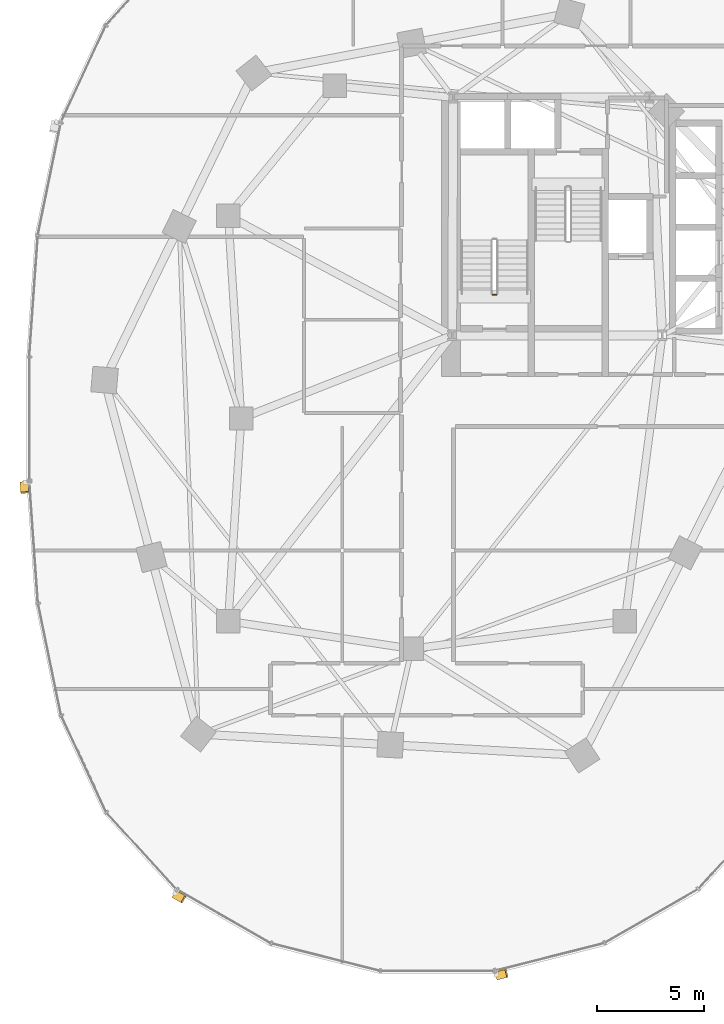
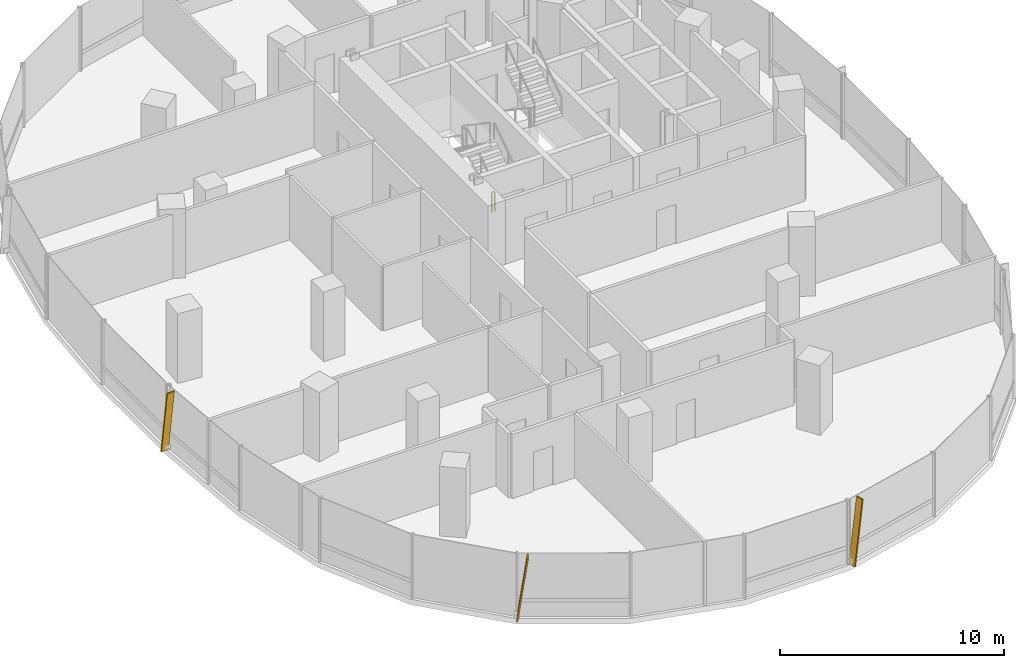
# One storey, part 18 of 22: 3 shading devices, 1 railing.
"""IFC4 building model written with IfcOpenShell, lengths in metres."""

from ifc_helpers import new_model, si_unit, direction, frame, origin, origin_2d, place, context, subcontext, project, spatial, rectangle, extrude, material, material_profile, profile_set, type_object, element, save


model = new_model("IFC4")

# Units and contexts
model_context = context("Model", 3, precision=1e-05, world=origin(), true_north=direction((0.0, 1.0)))
body_context = subcontext(model_context, "Body", "Model", "MODEL_VIEW")
ifc_project = project(units=[si_unit("LENGTHUNIT", "METRE"), si_unit("AREAUNIT", "SQUARE_METRE"), si_unit("VOLUMEUNIT", "CUBIC_METRE"), si_unit("PLANEANGLEUNIT", "RADIAN"), si_unit("MASSUNIT", "GRAM", prefix="KILO"), si_unit("THERMODYNAMICTEMPERATUREUNIT", "KELVIN"), si_unit("POWERUNIT", "WATT")], contexts=[model_context])

# Site, building, storey
site_placement = place(None, origin())
site = spatial("IfcSite", under=ifc_project, at=site_placement, CompositionType="ELEMENT")
building_placement = place(site_placement, origin())
building = spatial("IfcBuilding", under=site, at=building_placement, Name="Cundina Bronze Exchange", CompositionType="ELEMENT")
storey_placement = place(building_placement, frame((0.0, 0.0, 39.199951171875)))
storey = spatial("IfcBuildingStorey", under=building, at=storey_placement, Name="L09", CompositionType="ELEMENT", Elevation=39.199951171875)

# Railing
ifc_material_1 = material(Name="Steel ASTM A36 Painted", Category="steel")
railing_type = type_object("IfcRailingType", Name="RLG-STG-1100", PredefinedType="GUARDRAIL", material=ifc_material_1)
railing_placement = place(storey_placement, frame((-29.239990234375, 5.800048828125, 0.0)))
element("IfcRailing", 1, at=railing_placement, inside=storey, type_object=railing_type, Name="L09 ST-W1 stair guard 4", PredefinedType="GUARDRAIL", context=body_context, shape_type="SweptSolid", body=[
    extrude(rectangle(XDim=0.048095703125, YDim=0.048095703125, at=origin_2d()), frame((0.0, 0.0, 1.076171875), z_axis=(-1.0, 0.0, 0.0), x_axis=(0.0, -1.0, 0.0)), (0.0, 0.0, 1.0), 0.159912109375),
    extrude(rectangle(XDim=0.0419921875, YDim=0.0419921875, at=origin_2d()), origin(), (0.0, 0.0, 1.0), 1.052001953125),
    extrude(rectangle(XDim=0.0419921875, YDim=0.0419921875, at=origin_2d()), frame((-0.159912109375, 0.0, 0.0)), (0.0, 0.0, 1.0), 1.052001953125),
])

# Shading devices
ifc_material_2 = material(Name="Anodised Bronze Aluminium 6063-T6", Category="aluminium")
ifc_material_profile = material_profile(ifc_material_2, rectangle(XDim=0.070068359375, YDim=0.3798828125, at=origin_2d()), Name="FIN70X380", Category="aluminium")
ifc_profile_set = profile_set([ifc_material_profile], Name="Anodised Bronze Aluminium 6063-T6")
shading_device_type = type_object("IfcShadingDeviceType", Name="SHD-FIN-BRZ380", PredefinedType="USERDEFINED", material=ifc_profile_set)
for number, where, z_axis, x_axis, name in (
    (2, (-51.3740234375, -2.993896484375, 0.02001953125), (0.009645159174, -0.137059109714, 0.990515911709), (-0.06953288269, 0.988072340253, 0.137398066402), "L09 Diagonal Bronze Solar Fin 1"),
    (3, (-44.314208984375, -22.314208984375, 0.02001953125), (0.119166378275, -0.06842456559, 0.990513731915), (-0.85898178632, 0.493221799887, 0.137413779831), "L09 Diagonal Bronze Solar Fin 5"),
    (4, (-29.212646484375, -26.138427734375, 0.02001953125), (0.133214830938, 0.033688115694, 0.990514472221), (-0.960284642503, -0.242842181368, 0.137408443412), "L09 Diagonal Bronze Solar Fin 1"),
):
    element("IfcShadingDevice", number, at=place(storey_placement, frame(where, z_axis=z_axis, x_axis=x_axis)), inside=storey, type_object=shading_device_type, Name=name, ObjectType="FIN", PredefinedType="USERDEFINED", context=body_context, shape_type="SweptSolid", body=[
        extrude(rectangle(XDim=0.070068359375, YDim=0.3798828125, at=origin_2d()), origin(), (0.0, 0.0, 1.0), 3.4931640625),
    ])

save(model, "model.ifc")
